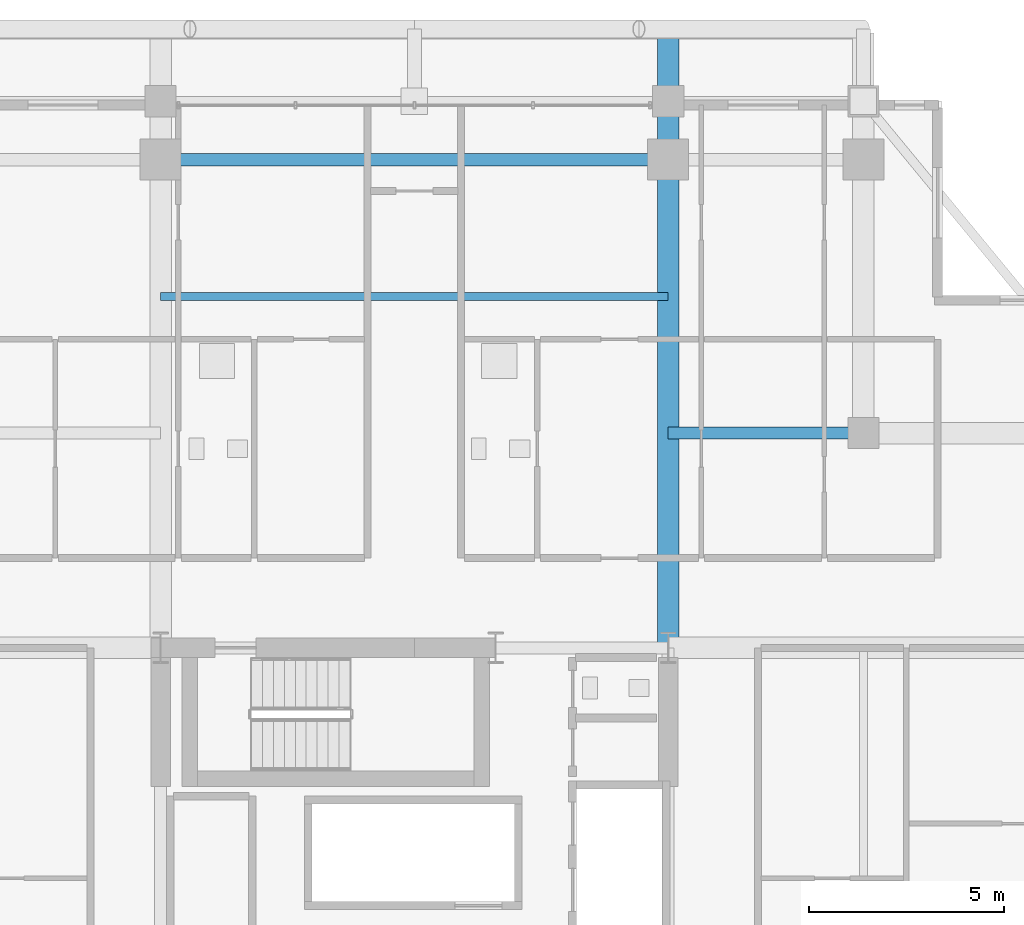
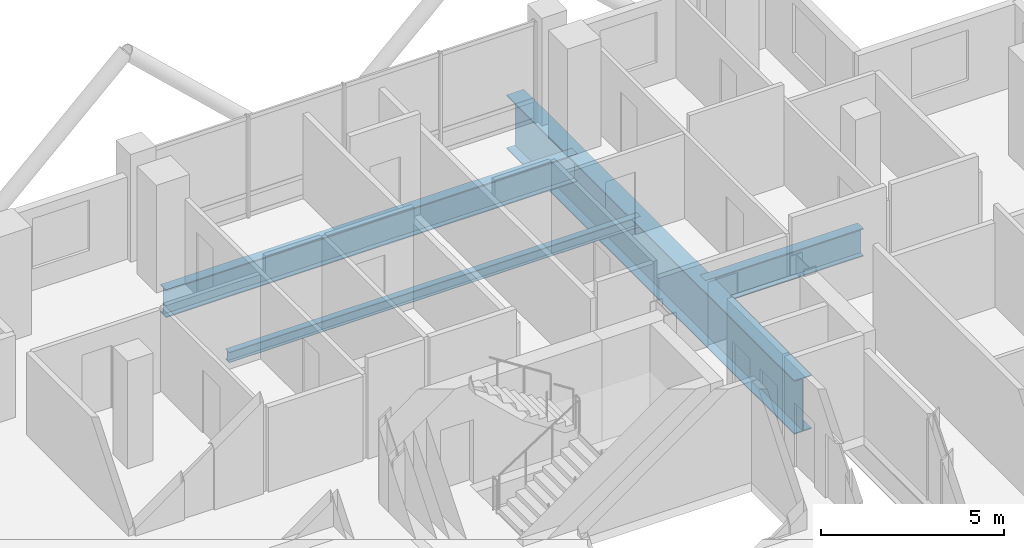
# One storey, part 11 of 23: 4 beams.
"""IFC4 building model written with IfcOpenShell, lengths in metres."""

from ifc_helpers import new_model, si_unit, direction, frame, origin, origin_2d, place, context, subcontext, project, spatial, i_section, extrude, material, material_profile, profile_set, type_object, element, save


model = new_model("IFC4")

# Units and contexts
model_context = context("Model", 3, precision=1e-05, world=origin(), true_north=direction((0.0, 1.0)))
body_context = subcontext(model_context, "Body", "Model", "MODEL_VIEW")
ifc_project = project(units=[si_unit("LENGTHUNIT", "METRE"), si_unit("AREAUNIT", "SQUARE_METRE"), si_unit("VOLUMEUNIT", "CUBIC_METRE"), si_unit("PLANEANGLEUNIT", "RADIAN"), si_unit("MASSUNIT", "GRAM", prefix="KILO")], contexts=[model_context])

# Site, building, storey
site_placement = place(None, origin())
site = spatial("IfcSite", under=ifc_project, at=site_placement, CompositionType="ELEMENT")
building_placement = place(site_placement, origin())
building = spatial("IfcBuilding", under=site, at=building_placement, Name="Barlavira Tower and Art Museum", CompositionType="ELEMENT")
storey_placement = place(building_placement, frame((0.0, 0.0, 165.60009765625)))
storey = spatial("IfcBuildingStorey", under=building, at=storey_placement, Name="L42", CompositionType="ELEMENT", Elevation=165.60009765625)

# Beams
ifc_material = material(Name="Steel S355", Category="steel")
ifc_material_profile_1 = material_profile(ifc_material, i_section(OverallWidth=0.30908203125, OverallDepth=0.931884765625, WebThickness=0.01953125, FlangeThickness=0.034423828125, at=origin_2d()), Name="W920x313.0")
ifc_profile_set_1 = profile_set([ifc_material_profile_1], Name="Steel S355")
beam_type_1 = type_object("IfcBeamType", Name="Setback Ring Girder W920x313 Steel S355", PredefinedType="BEAM", material=ifc_profile_set_1)
beam_1_placement = place(storey_placement, frame((-6.5, 20.0, -0.76611328125), z_axis=(1.0, 0.0, 0.0), x_axis=(0.0, 1.0, 0.0)))
element("IfcBeam", 1, at=beam_1_placement, inside=storey, type_object=beam_type_1, Name="L42 Girder M-N2", PredefinedType="BEAM", context=body_context, shape_type="SweptSolid", body=[
    extrude(i_section(OverallWidth=0.30908203125, OverallDepth=0.931884765625, WebThickness=0.01953125, FlangeThickness=0.034423828125, at=origin_2d()), origin(), (0.0, 0.0, 1.0), 13.0),
])
beam_2_placement = place(storey_placement, frame((6.5, 13.0, -0.76611328125), z_axis=(1.0, 0.0, 0.0), x_axis=(0.0, 1.0, 0.0)))
element("IfcBeam", 2, at=beam_2_placement, inside=storey, type_object=beam_type_1, Name="L42 Girder I-N3", PredefinedType="BEAM", context=body_context, shape_type="SweptSolid", body=[
    extrude(i_section(OverallWidth=0.30908203125, OverallDepth=0.931884765625, WebThickness=0.01953125, FlangeThickness=0.034423828125, at=origin_2d()), origin(), (0.0, 0.0, 1.0), 5.0),
])
ifc_material_profile_2 = material_profile(ifc_material, i_section(OverallWidth=0.205078125, OverallDepth=0.35400390625, WebThickness=0.009521484375, FlangeThickness=0.016845703125, at=origin_2d()), Name="W360x79.0")
ifc_profile_set_2 = profile_set([ifc_material_profile_2], Name="Steel S355")
beam_type_2 = type_object("IfcBeamType", Name="Zone 3 Composite Floor Joist W360x79 Steel S355", PredefinedType="JOIST", material=ifc_profile_set_2)
beam_3_placement = place(storey_placement, frame((-6.5, 16.5, -0.47705078125), z_axis=(1.0, 0.0, 0.0), x_axis=(0.0, 1.0, 0.0)))
element("IfcBeam", 3, at=beam_3_placement, inside=storey, type_object=beam_type_2, Name="L42 Joist C2", PredefinedType="JOIST", context=body_context, shape_type="SweptSolid", body=[
    extrude(i_section(OverallWidth=0.205078125, OverallDepth=0.35400390625, WebThickness=0.009521484375, FlangeThickness=0.016845703125, at=origin_2d()), origin(), (0.0, 0.0, 1.0), 13.0),
])
ifc_material_profile_3 = material_profile(ifc_material, i_section(OverallWidth=0.550048828125, OverallDepth=1.800048828125, WebThickness=0.02587890625, FlangeThickness=0.033935546875, at=origin_2d()), Name="CVS1800x520")
ifc_profile_set_3 = profile_set([ifc_material_profile_3], Name="Steel S355")
beam_type_3 = type_object("IfcBeamType", Name="Zone Setback Transfer Girder CVS1800x520 Steel S355", PredefinedType="USERDEFINED", material=ifc_profile_set_3)
beam_4_placement = place(storey_placement, frame((6.5, 7.5, -1.2001953125), z_axis=(0.0, 1.0, 0.0), x_axis=(-1.0, 0.0, 0.0)))
element("IfcBeam", 4, at=beam_4_placement, inside=storey, type_object=beam_type_3, Name="L42 Setback Transfer Girder TGL42-05B", ObjectType="TRANSFER GIRDER", PredefinedType="USERDEFINED", context=body_context, shape_type="SweptSolid", body=[
    extrude(i_section(OverallWidth=0.550048828125, OverallDepth=1.800048828125, WebThickness=0.02587890625, FlangeThickness=0.033935546875, at=origin_2d()), origin(), (0.0, 0.0, 1.0), 15.75),
])

save(model, "model.ifc")
